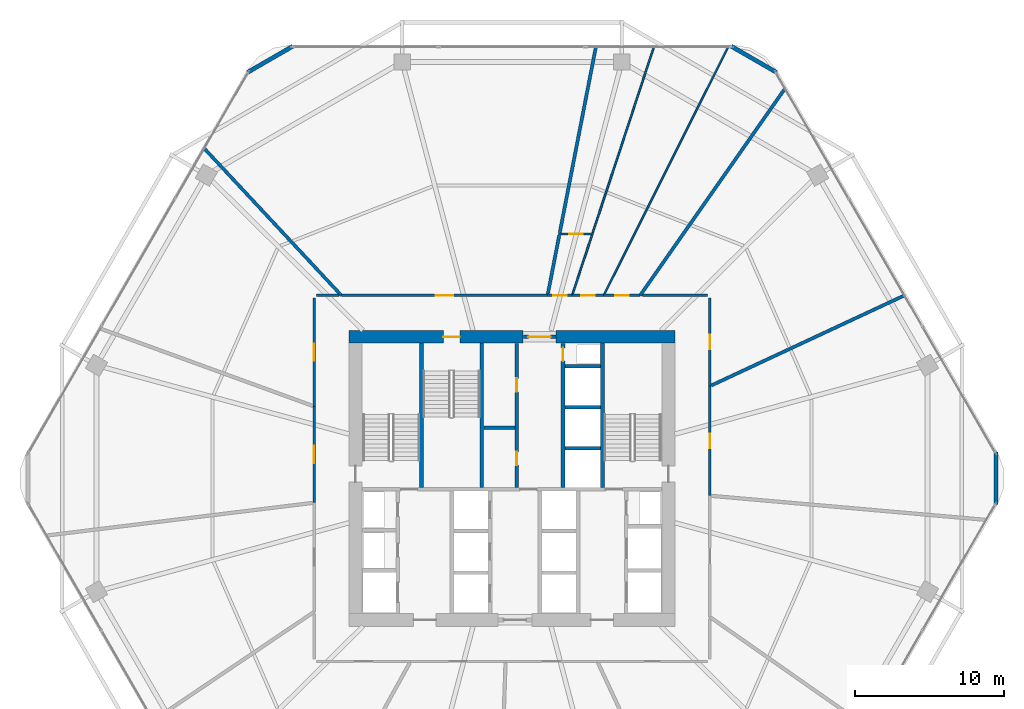
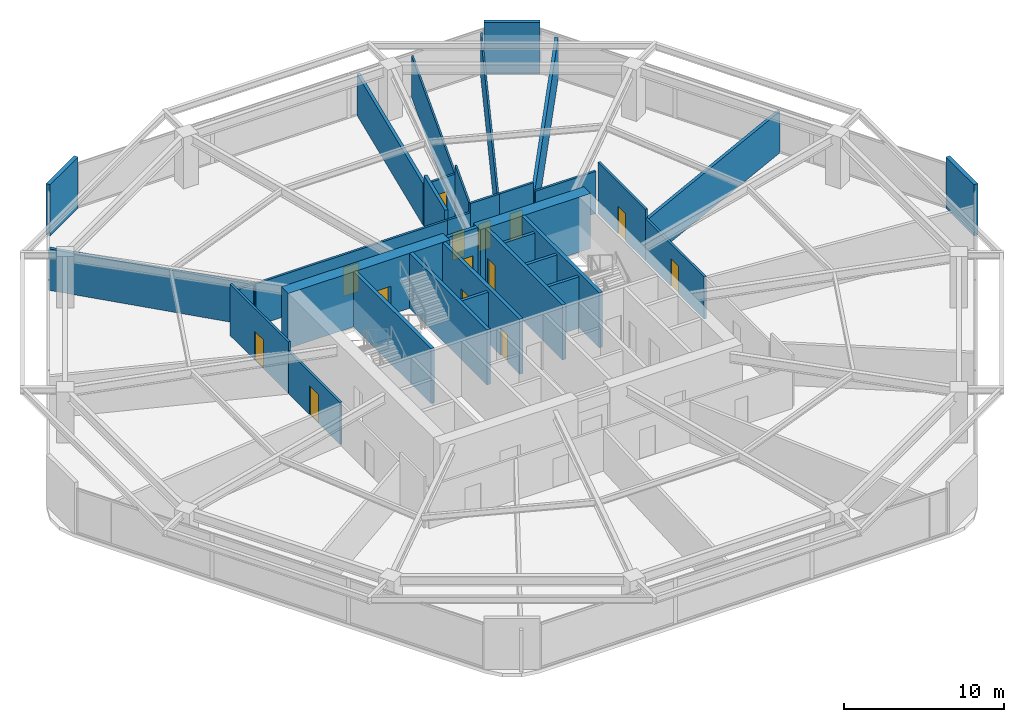
# One storey, part 26 of 28: 34 walls, 14 doors, 14 openings.
"""IFC4 building model written with IfcOpenShell, lengths in metres."""

import ifcopenshell
import ifcopenshell.guid

model = None  # the IFC model being written
_history = None  # IfcOwnerHistory: only IFC2X3 demands one
_inside = {}  # id of a spatial element -> (the spatial element, [elements in it])
_under = {}  # id of a project, library or spatial element -> (it, [spatial elements below it])
_declared = {}  # id of a project -> (the project, [libraries it declares])
_typed = {}  # id of a type object -> (the type object, [elements of that type])
_made_of = {}  # id of a material, layer set ... -> (it, [elements and type objects made of it])


def new_model(schema):
    """Start an empty IFC model of exactly this schema.

    Asked for "IFC4X3", IfcOpenShell would pick the latest addendum, in which some entities
    have other attributes; the version numbers below select the first issue.
    IFC2X3 requires an IfcOwnerHistory on every rooted entity: one is made here for all.
    """
    global model, _history
    if schema == "IFC4X3":
        model = ifcopenshell.file(schema_version=(4, 3, 0, 0))
    else:
        model = ifcopenshell.file(schema=schema)
    _inside.clear()
    _under.clear()
    _declared.clear()
    _typed.clear()
    _made_of.clear()
    _history = None
    if model.schema == "IFC2X3":
        org = make("IfcOrganization", Name="unknown")
        user = make(
            "IfcPersonAndOrganization",
            ThePerson=make("IfcPerson", FamilyName="unknown"),
            TheOrganization=org,
        )
        app = make(
            "IfcApplication",
            ApplicationDeveloper=org,
            Version="unknown",
            ApplicationFullName="unknown",
            ApplicationIdentifier="unknown",
        )
        _history = make(
            "IfcOwnerHistory",
            OwningUser=user,
            OwningApplication=app,
            ChangeAction="ADDED",
            CreationDate=0,
        )
    return model


def make(cls, **values):
    """One entity of the class cls with the attributes given. An attribute that is None is left unset."""
    return model.create_entity(
        cls, **{name: value for name, value in values.items() if value is not None}
    )


def rooted(cls, **values):
    """An entity with a GlobalId (a new one), such as an element, a storey or a relation."""
    return make(cls, GlobalId=ifcopenshell.guid.new(), OwnerHistory=_history, **values)


def si_unit(unit_type, name, prefix=None):
    """IfcSIUnit, for example si_unit("LENGTHUNIT", "METRE", prefix="MILLI")."""
    return make("IfcSIUnit", UnitType=unit_type, Prefix=prefix, Name=name)


def assignment(units):
    """IfcUnitAssignment: the units of a project."""
    return None if units is None else make("IfcUnitAssignment", Units=units)


def point(xyz):
    """IfcCartesianPoint."""
    return None if xyz is None else make("IfcCartesianPoint", Coordinates=xyz)


def direction(xyz):
    """IfcDirection."""
    return None if xyz is None else make("IfcDirection", DirectionRatios=xyz)


def frame(location, z_axis=None, x_axis=None):
    """IfcAxis2Placement3D, a coordinate frame: its origin and axes. An axis left out is left unset."""
    return make(
        "IfcAxis2Placement3D",
        Location=point(location),
        Axis=direction(z_axis),
        RefDirection=direction(x_axis),
    )


def frame_2d(location, x_axis=None):
    """IfcAxis2Placement2D, a coordinate frame in the plane: its origin and x axis."""
    return make(
        "IfcAxis2Placement2D", Location=point(location), RefDirection=direction(x_axis)
    )


def origin():
    """The frame at (0, 0, 0) with its axes left unset."""
    return frame((0.0, 0.0, 0.0))


def place(relative_to, where):
    """IfcLocalPlacement: puts the frame where relative to a parent placement (None: the world)."""
    return make(
        "IfcLocalPlacement", PlacementRelTo=relative_to, RelativePlacement=where
    )


def context(
    kind, dimensions, precision=None, world=None, true_north=None, identifier=None
):
    """IfcGeometricRepresentationContext, for example the 3D "Model" context."""
    return make(
        "IfcGeometricRepresentationContext",
        ContextIdentifier=identifier,
        ContextType=kind,
        CoordinateSpaceDimension=dimensions,
        Precision=precision,
        WorldCoordinateSystem=world,
        TrueNorth=true_north,
    )


def subcontext(parent, identifier, kind, view, scale=None):
    """IfcGeometricRepresentationSubContext, for example "Body" below "Model"."""
    return make(
        "IfcGeometricRepresentationSubContext",
        ContextIdentifier=identifier,
        ContextType=kind,
        ParentContext=parent,
        TargetScale=scale,
        TargetView=view,
    )


def project(units=None, contexts=None):
    """IfcProject with its units and contexts."""
    return rooted(
        "IfcProject",
        Name="project",
        RepresentationContexts=contexts,
        UnitsInContext=assignment(units),
    )


def spatial(cls, under=None, at=None, **own):
    """A site, building, storey or space (cls), placed at a placement, below another one or the project."""
    s = rooted(cls, ObjectPlacement=at, **own)
    if under is not None:
        _under.setdefault(under.id(), (under, []))[1].append(s)
    return s


def profile(cls, at=None, kind="AREA", **sizes):
    """A parametric profile (cls). Its sizes go by their IFC names, for example OverallWidth=200.0."""
    return make(cls, ProfileType=kind, Position=at, **sizes)


def rectangle(**sizes):
    """IfcRectangleProfileDef."""
    return profile("IfcRectangleProfileDef", **sizes)


def extrude(swept, where, along, depth):
    """IfcExtrudedAreaSolid: the profile swept, set in the frame where, extruded along a direction by depth."""
    return make(
        "IfcExtrudedAreaSolid",
        SweptArea=swept,
        Position=where,
        ExtrudedDirection=direction(along),
        Depth=depth,
    )


def shape(context_of_items, identifier, shape_type, items):
    """IfcShapeRepresentation: the items that make up one representation, for example the "Body"."""
    return make(
        "IfcShapeRepresentation",
        ContextOfItems=context_of_items,
        RepresentationIdentifier=identifier,
        RepresentationType=shape_type,
        Items=items,
    )


def material(Name=None, Category=None):
    """IfcMaterial."""
    return make("IfcMaterial", Name=Name, Category=Category)


def layer(
    of_material, thickness, ventilated=None, Name=None, Category=None, Priority=None
):
    """IfcMaterialLayer: one layer of a wall or slab, of a material (None: an air gap)."""
    return make(
        "IfcMaterialLayer",
        Material=of_material,
        LayerThickness=thickness,
        IsVentilated=ventilated,
        Name=Name,
        Category=Category,
        Priority=Priority,
    )


def layer_set(layers, Name=None):
    """IfcMaterialLayerSet."""
    return make("IfcMaterialLayerSet", MaterialLayers=layers, LayerSetName=Name)


def made_of(thing, what):
    """Note that an element or type object is made of a material, layer set ...; save() writes the relation."""
    if what is not None:
        _made_of.setdefault(what.id(), (what, []))[1].append(thing)
    return thing


def type_object(cls, material=None, **own):
    """A type object (cls), such as IfcWallType, which elements share."""
    return made_of(rooted(cls, **own), material)


def element(
    cls,
    number,
    at=None,
    inside=None,
    cuts=None,
    type_object=None,
    material=None,
    context=None,
    identifier="Body",
    shape_type=None,
    held_by="IfcProductDefinitionShape",
    body=None,
    shapes=None,
    **own,
):
    """One element of the class cls, such as IfcWall. Its Tag is "e" and its number.

    at: its placement. inside: the storey or other place that contains it. cuts: it is an
    opening in that element (IfcRelVoidsElement). A single representation is given by context,
    identifier, shape_type and body (its items); several are given by shapes. held_by: the class
    of the entity that holds the representations. save() writes the other relations.
    """
    e = rooted(cls, Tag="e%d" % number, ObjectPlacement=at, **own)
    if body is not None:
        shapes = [shape(context, identifier, shape_type, body)]
    if shapes is not None:
        e.Representation = make(held_by, Representations=shapes)
    if inside is not None:
        _inside.setdefault(inside.id(), (inside, []))[1].append(e)
    if cuts is not None:
        rooted(
            "IfcRelVoidsElement", RelatingBuildingElement=cuts, RelatedOpeningElement=e
        )
    if type_object is not None:
        _typed.setdefault(type_object.id(), (type_object, []))[1].append(e)
    return made_of(e, material)


def fill(opening, filler):
    """IfcRelFillsElement: the door or window that sits in an opening."""
    return rooted(
        "IfcRelFillsElement",
        RelatingOpeningElement=opening,
        RelatedBuildingElement=filler,
    )


def aggregate(whole, parts):
    """IfcRelAggregates: a whole, such as a stair, and the parts it consists of."""
    return rooted("IfcRelAggregates", RelatingObject=whole, RelatedObjects=parts)


def save(model, path):
    """Write the relations noted so far, then the file.

    IfcRelAggregates (storeys below a building ...), IfcRelContainedInSpatialStructure (elements
    in a storey), IfcRelDefinesByType, IfcRelAssociatesMaterial and IfcRelDeclares: one each for
    every whole, place, type object, material and project.
    """
    for whole, parts in _under.values():
        aggregate(whole, parts)
    for where, things in _inside.values():
        rooted(
            "IfcRelContainedInSpatialStructure",
            RelatedElements=things,
            RelatingStructure=where,
        )
    for kind, things in _typed.values():
        rooted("IfcRelDefinesByType", RelatedObjects=things, RelatingType=kind)
    for what, things in _made_of.values():
        rooted("IfcRelAssociatesMaterial", RelatedObjects=things, RelatingMaterial=what)
    for by, libraries in _declared.values():
        rooted("IfcRelDeclares", RelatingContext=by, RelatedDefinitions=libraries)
    model.write(path)


model = new_model("IFC4")

# Units and contexts
model_context = context("Model", 3, precision=1e-05, world=origin(), true_north=direction((0.0, 1.0)))
body_context = subcontext(model_context, "Body", "Model", "MODEL_VIEW")
ifc_project = project(units=[si_unit("LENGTHUNIT", "METRE"), si_unit("AREAUNIT", "SQUARE_METRE"), si_unit("VOLUMEUNIT", "CUBIC_METRE"), si_unit("PLANEANGLEUNIT", "RADIAN"), si_unit("MASSUNIT", "GRAM", prefix="KILO")], contexts=[model_context])

# Site, building, storey
site_placement = place(None, origin())
site = spatial("IfcSite", under=ifc_project, at=site_placement, CompositionType="ELEMENT")
building_placement = place(site_placement, origin())
building = spatial("IfcBuilding", under=site, at=building_placement, Name="Zuhravey Tower", CompositionType="ELEMENT")
storey_placement = place(building_placement, frame((0.0, 0.0, 79.199951171875)))
storey = spatial("IfcBuildingStorey", under=building, at=storey_placement, Name="L19", CompositionType="ELEMENT", Elevation=79.199951171875)

# Wall
ifc_material_1 = material(Name="Concrete C60/75", Category="concrete")
ifc_layer_1 = layer(ifc_material_1, 0.85009765625)
ifc_layer_set_1 = layer_set([ifc_layer_1], Name="Concrete C60/75")
wall_type_1 = type_object("IfcWallType", Name="Core Shear Wall 850", PredefinedType="SHEAR", material=ifc_layer_set_1)
wall_1_placement = place(storey_placement, frame((46.925048828125, 41.5, 0.0), z_axis=(0.0, 0.0, 1.0), x_axis=(-1.0, 0.0, 0.0)))
element("IfcWall", 1, at=wall_1_placement, inside=storey, type_object=wall_type_1, Name="L19 North-East Core Shear Wall CW85", PredefinedType="SHEAR", context=body_context, shape_type="SweptSolid", body=[
    extrude(rectangle(XDim=7.97509765625, YDim=0.85009765625, at=frame_2d((3.987548828125, 0.0))), origin(), (0.0, 0.0, 1.0), 4.199951171875),
])

# Wall, opening, door
wall_2_placement = place(storey_placement, frame((36.75, 41.5, 0.0), z_axis=(0.0, 0.0, 1.0), x_axis=(-1.0, 0.0, 0.0)))
wall_2 = element("IfcWall", 2, at=wall_2_placement, inside=storey, type_object=wall_type_1, Name="L19 North-West Core Shear Wall CW85", PredefinedType="SHEAR", context=body_context, shape_type="SweptSolid", body=[
    extrude(rectangle(XDim=11.675048828125, YDim=0.85009765625, at=frame_2d((5.83740234375, 0.0))), origin(), (0.0, 0.0, 1.0), 4.199951171875),
])
opening_1_placement = place(wall_2_placement, frame((4.25, 0.0, 0.0)))
opening_1 = element("IfcOpeningElement", 3, at=opening_1_placement, cuts=wall_2, Name="Opening STD1", PredefinedType="OPENING", context=body_context, shape_type="SweptSolid", body=[
    extrude(rectangle(XDim=1.10009765625, YDim=2.14990234375, at=frame_2d((0.550048828125, 1.074951171875))), frame((0.0, 0.43701171875, 0.0), z_axis=(0.0, -1.0, 0.0), x_axis=(1.0, 0.0, 0.0)), (0.0, 0.0, 1.0), 0.8740234375),
])
ifc_material_2 = material(Name="Galvanised fire-rated steel leaf", Category="steel")
door_type_1 = type_object("IfcDoorType", Name="Protected Stair Fire Door 1100x2150", OperationType="NOTDEFINED", PredefinedType="USERDEFINED", material=ifc_material_2)
door_1_placement = place(opening_1_placement, origin())
door_1 = element("IfcDoor", 4, at=door_1_placement, inside=storey, type_object=door_type_1, Name="L19 Stair ST3 Door", ObjectType="EXITDOOR", OperationType="SINGLE_SWING_LEFT", OverallHeight=2.14990234375, OverallWidth=1.10009765625, PredefinedType="USERDEFINED", context=body_context, shape_type="SweptSolid", body=[
    extrude(rectangle(XDim=1.10009765625, YDim=2.14990234375, at=frame_2d((0.550048828125, 1.074951171875))), frame((0.0, 0.02490234375, 0.0), z_axis=(0.0, -1.0, 0.0), x_axis=(1.0, 0.0, 0.0)), (0.0, 0.0, 1.0), 0.050048828125),
])
fill(opening_1, door_1)

ifc_material_3 = material(Name="Gypsum fire-rated stud partition")
ifc_layer_2 = layer(ifc_material_3, 0.159912109375)
ifc_layer_set_2 = layer_set([ifc_layer_2], Name="Gypsum fire-rated stud partition")
wall_type_2 = type_object("IfcWallType", Name="Corridor Fire Partition 160", PredefinedType="PARTITIONING", material=ifc_layer_set_2)
wall_3_placement = place(storey_placement, frame((44.60205078125, 44.284912109375, 0.0), z_axis=(0.0, 0.0, 1.0), x_axis=(-1.0, 0.0, 0.0)))
wall_3 = element("IfcWall", 5, at=wall_3_placement, inside=storey, type_object=wall_type_2, Name="L19 IW16 Partition 019", PredefinedType="PARTITIONING", context=body_context, shape_type="SweptSolid", body=[
    extrude(rectangle(XDim=2.4501953125, YDim=0.159912109375, at=frame_2d((1.22509765625, 0.0))), origin(), (0.0, 0.0, 1.0), 3.920166015625),
])
opening_2_placement = place(wall_3_placement, frame((0.77490234375, 0.0, 0.0)))
opening_2 = element("IfcOpeningElement", 6, at=opening_2_placement, cuts=wall_3, Name="Opening RSD1", PredefinedType="OPENING", context=body_context, shape_type="SweptSolid", body=[
    extrude(rectangle(XDim=0.89990234375, YDim=2.10009765625, at=frame_2d((0.449951171875, 1.050048828125))), frame((0.0, 0.092041015625, 0.0), z_axis=(0.0, -1.0, 0.0), x_axis=(1.0, 0.0, 0.0)), (0.0, 0.0, 1.0), 0.183837890625),
])
ifc_material_4 = material(Name="Galvanised fire-rated steel access leaf", Category="steel")
door_type_2 = type_object("IfcDoorType", Name="Riser & Shaft Access Fire Door 900x2100", OperationType="NOTDEFINED", PredefinedType="DOOR", material=ifc_material_4)
door_2_placement = place(opening_2_placement, frame((0.89990234375, 0.0, 0.0), z_axis=(0.0, 0.0, 1.0), x_axis=(-1.0, 0.0, 0.0)))
door_2 = element("IfcDoor", 7, at=door_2_placement, inside=storey, type_object=door_type_2, Name="L19 Door 019.1", OperationType="SINGLE_SWING_LEFT", OverallHeight=2.10009765625, OverallWidth=0.89990234375, PredefinedType="DOOR", context=body_context, shape_type="SweptSolid", body=[
    extrude(rectangle(XDim=0.89990234375, YDim=2.10009765625, at=frame_2d((0.449951171875, 1.050048828125))), frame((0.0, 0.02490234375, 0.0), z_axis=(0.0, -1.0, 0.0), x_axis=(1.0, 0.0, 0.0)), (0.0, 0.0, 1.0), 0.050048828125),
])
fill(opening_2, door_2)

wall_4_placement = place(storey_placement, frame((42.15185546875, 44.284912109375, 0.0), z_axis=(0.0, 0.0, 1.0), x_axis=(-1.0, 0.0, 0.0)))
wall_4 = element("IfcWall", 8, at=wall_4_placement, inside=storey, type_object=wall_type_2, Name="L19 IW16 Partition 020", PredefinedType="PARTITIONING", context=body_context, shape_type="SweptSolid", body=[
    extrude(rectangle(XDim=2.11279296875, YDim=0.159912109375, at=frame_2d((1.056396484375, 0.0))), origin(), (0.0, 0.0, 1.0), 3.920166015625),
])
opening_3_placement = place(wall_4_placement, frame((0.6064453125, 0.0, 0.0)))
opening_3 = element("IfcOpeningElement", 9, at=opening_3_placement, cuts=wall_4, Name="Opening RSD1", PredefinedType="OPENING", context=body_context, shape_type="SweptSolid", body=[
    extrude(rectangle(XDim=0.89990234375, YDim=2.10009765625, at=frame_2d((0.449951171875, 1.050048828125))), frame((0.0, 0.092041015625, 0.0), z_axis=(0.0, -1.0, 0.0), x_axis=(1.0, 0.0, 0.0)), (0.0, 0.0, 1.0), 0.183837890625),
])
door_3_placement = place(opening_3_placement, frame((0.89990234375, 0.0, 0.0), z_axis=(0.0, 0.0, 1.0), x_axis=(-1.0, 0.0, 0.0)))
door_3 = element("IfcDoor", 10, at=door_3_placement, inside=storey, type_object=door_type_2, Name="L19 Door 020.1", OperationType="SINGLE_SWING_RIGHT", OverallHeight=2.10009765625, OverallWidth=0.89990234375, PredefinedType="DOOR", context=body_context, shape_type="SweptSolid", body=[
    extrude(rectangle(XDim=0.89990234375, YDim=2.10009765625, at=frame_2d((0.449951171875, 1.050048828125))), frame((0.0, 0.02490234375, 0.0), z_axis=(0.0, -1.0, 0.0), x_axis=(1.0, 0.0, 0.0)), (0.0, 0.0, 1.0), 0.050048828125),
])
fill(opening_3, door_3)

wall_5_placement = place(storey_placement, frame((39.107421875, 48.405029296875, 0.0), z_axis=(0.0, 0.0, 1.0), x_axis=(1.0, 0.0, 0.0)))
wall_5 = element("IfcWall", 11, at=wall_5_placement, inside=storey, type_object=wall_type_2, Name="L19 IW16 Partition 021", PredefinedType="PARTITIONING", context=body_context, shape_type="SweptSolid", body=[
    extrude(rectangle(XDim=2.370361328125, YDim=0.159912109375, at=frame_2d((1.18505859375, 0.0))), origin(), (0.0, 0.0, 1.0), 3.219970703125),
])
opening_4_placement = place(wall_5_placement, frame((0.7353515625, 0.0, 0.0)))
opening_4 = element("IfcOpeningElement", 12, at=opening_4_placement, cuts=wall_5, Name="Opening RSD1", PredefinedType="OPENING", context=body_context, shape_type="SweptSolid", body=[
    extrude(rectangle(XDim=0.89990234375, YDim=2.10009765625, at=frame_2d((0.449951171875, 1.050048828125))), frame((0.0, 0.092041015625, 0.0), z_axis=(0.0, -1.0, 0.0), x_axis=(1.0, 0.0, 0.0)), (0.0, 0.0, 1.0), 0.183837890625),
])
door_4_placement = place(opening_4_placement, origin())
door_4 = element("IfcDoor", 13, at=door_4_placement, inside=storey, type_object=door_type_2, Name="L19 Door 021.1", OperationType="SINGLE_SWING_LEFT", OverallHeight=2.10009765625, OverallWidth=0.89990234375, PredefinedType="DOOR", context=body_context, shape_type="SweptSolid", body=[
    extrude(rectangle(XDim=0.89990234375, YDim=2.10009765625, at=frame_2d((0.449951171875, 1.050048828125))), frame((0.0, 0.02490234375, 0.0), z_axis=(0.0, -1.0, 0.0), x_axis=(1.0, 0.0, 0.0)), (0.0, 0.0, 1.0), 0.050048828125),
])
fill(opening_4, door_4)

wall_6_placement = place(storey_placement, frame((40.0390625, 44.284912109375, 0.0), z_axis=(0.0, 0.0, 1.0), x_axis=(-1.0, 0.0, 0.0)))
wall_6 = element("IfcWall", 14, at=wall_6_placement, inside=storey, type_object=wall_type_2, Name="L19 IW16 Partition 022", PredefinedType="PARTITIONING", context=body_context, shape_type="SweptSolid", body=[
    extrude(rectangle(XDim=1.651123046875, YDim=0.159912109375, at=frame_2d((0.82568359375, 0.0))), origin(), (0.0, 0.0, 1.0), 3.219970703125),
])
opening_5_placement = place(wall_6_placement, frame((0.37548828125, 0.0, 0.0)))
opening_5 = element("IfcOpeningElement", 15, at=opening_5_placement, cuts=wall_6, Name="Opening RSD1", PredefinedType="OPENING", context=body_context, shape_type="SweptSolid", body=[
    extrude(rectangle(XDim=0.89990234375, YDim=2.10009765625, at=frame_2d((0.449951171875, 1.050048828125))), frame((0.0, 0.092041015625, 0.0), z_axis=(0.0, -1.0, 0.0), x_axis=(1.0, 0.0, 0.0)), (0.0, 0.0, 1.0), 0.183837890625),
])
door_5_placement = place(opening_5_placement, frame((0.89990234375, 0.0, 0.0), z_axis=(0.0, 0.0, 1.0), x_axis=(-1.0, 0.0, 0.0)))
door_5 = element("IfcDoor", 16, at=door_5_placement, inside=storey, type_object=door_type_2, Name="L19 Door 022.1", OperationType="SINGLE_SWING_RIGHT", OverallHeight=2.10009765625, OverallWidth=0.89990234375, PredefinedType="DOOR", context=body_context, shape_type="SweptSolid", body=[
    extrude(rectangle(XDim=0.89990234375, YDim=2.10009765625, at=frame_2d((0.449951171875, 1.050048828125))), frame((0.0, 0.02490234375, 0.0), z_axis=(0.0, -1.0, 0.0), x_axis=(1.0, 0.0, 0.0)), (0.0, 0.0, 1.0), 0.050048828125),
])
fill(opening_5, door_5)

wall_7_placement = place(storey_placement, frame((38.387939453125, 44.284912109375, 0.0), z_axis=(0.0, 0.0, 1.0), x_axis=(-1.0, 0.0, 0.0)))
wall_7 = element("IfcWall", 17, at=wall_7_placement, inside=storey, type_object=wall_type_2, Name="L19 IW16 Partition 023", PredefinedType="PARTITIONING", context=body_context, shape_type="SweptSolid", body=[
    extrude(rectangle(XDim=13.84375, YDim=0.159912109375, at=frame_2d((6.921875, 0.0))), origin(), (0.0, 0.0, 1.0), 3.219970703125),
])
opening_6_placement = place(wall_7_placement, frame((6.346923828125, 0.0, 0.0)))
opening_6 = element("IfcOpeningElement", 18, at=opening_6_placement, cuts=wall_7, Name="Opening CLD1", PredefinedType="OPENING", context=body_context, shape_type="SweptSolid", body=[
    extrude(rectangle(XDim=1.14990234375, YDim=2.199951171875, at=frame_2d((0.574951171875, 1.10009765625))), frame((0.0, 0.092041015625, 0.0), z_axis=(0.0, -1.0, 0.0), x_axis=(1.0, 0.0, 0.0)), (0.0, 0.0, 1.0), 0.183837890625),
])
ifc_material_5 = material(Name="Acoustic timber leaf with vision lite", Category="wood")
door_type_3 = type_object("IfcDoorType", Name="Classroom Acoustic Door 1150x2200", OperationType="NOTDEFINED", PredefinedType="DOOR", material=ifc_material_5)
door_6_placement = place(opening_6_placement, frame((1.14990234375, 0.0, 0.0), z_axis=(0.0, 0.0, 1.0), x_axis=(-1.0, 0.0, 0.0)))
door_6 = element("IfcDoor", 19, at=door_6_placement, inside=storey, type_object=door_type_3, Name="L19 Door 023.1", OperationType="SINGLE_SWING_LEFT", OverallHeight=2.199951171875, OverallWidth=1.14990234375, PredefinedType="DOOR", context=body_context, shape_type="SweptSolid", body=[
    extrude(rectangle(XDim=1.14990234375, YDim=2.199951171875, at=frame_2d((0.574951171875, 1.10009765625))), frame((0.0, 0.02490234375, 0.0), z_axis=(0.0, -1.0, 0.0), x_axis=(1.0, 0.0, 0.0)), (0.0, 0.0, 1.0), 0.050048828125),
])
fill(opening_6, door_6)

wall_8_placement = place(storey_placement, frame((22.715087890625, 44.125, 0.0), z_axis=(0.0, 0.0, 1.0), x_axis=(0.0, -1.0, 0.0)))
wall_8 = element("IfcWall", 20, at=wall_8_placement, inside=storey, type_object=wall_type_2, Name="L19 IW16 Partition 024", PredefinedType="PARTITIONING", context=body_context, shape_type="SweptSolid", body=[
    extrude(rectangle(XDim=7.289794921875, YDim=0.159912109375, at=frame_2d((3.64501953125, 0.0))), origin(), (0.0, 0.0, 1.0), 3.920166015625),
])
opening_7_placement = place(wall_8_placement, frame((3.06982421875, 0.0, 0.0)))
opening_7 = element("IfcOpeningElement", 21, at=opening_7_placement, cuts=wall_8, Name="Opening CLD1", PredefinedType="OPENING", context=body_context, shape_type="SweptSolid", body=[
    extrude(rectangle(XDim=1.14990234375, YDim=2.199951171875, at=frame_2d((0.574951171875, 1.10009765625))), frame((0.0, 0.092041015625, 0.0), z_axis=(0.0, -1.0, 0.0), x_axis=(1.0, 0.0, 0.0)), (0.0, 0.0, 1.0), 0.183837890625),
])
door_7_placement = place(opening_7_placement, frame((1.14990234375, 0.0, 0.0), z_axis=(0.0, 0.0, 1.0), x_axis=(-1.0, 0.0, 0.0)))
door_7 = element("IfcDoor", 22, at=door_7_placement, inside=storey, type_object=door_type_3, Name="L19 Door 024.1", OperationType="SINGLE_SWING_RIGHT", OverallHeight=2.199951171875, OverallWidth=1.14990234375, PredefinedType="DOOR", context=body_context, shape_type="SweptSolid", body=[
    extrude(rectangle(XDim=1.14990234375, YDim=2.199951171875, at=frame_2d((0.574951171875, 1.10009765625))), frame((0.0, 0.02490234375, 0.0), z_axis=(0.0, -1.0, 0.0), x_axis=(1.0, 0.0, 0.0)), (0.0, 0.0, 1.0), 0.050048828125),
])
fill(opening_7, door_7)

wall_9_placement = place(storey_placement, frame((22.715087890625, 36.835205078125, 0.0), z_axis=(0.0, 0.0, 1.0), x_axis=(0.0, -1.0, 0.0)))
wall_9 = element("IfcWall", 23, at=wall_9_placement, inside=storey, type_object=wall_type_2, Name="L19 IW16 Partition 025", PredefinedType="PARTITIONING", context=body_context, shape_type="SweptSolid", body=[
    extrude(rectangle(XDim=6.46630859375, YDim=0.159912109375, at=frame_2d((3.233154296875, 0.0))), origin(), (0.0, 0.0, 1.0), 3.219970703125),
])
opening_8_placement = place(wall_9_placement, frame((2.658203125, 0.0, 0.0)))
opening_8 = element("IfcOpeningElement", 24, at=opening_8_placement, cuts=wall_9, Name="Opening CLD1", PredefinedType="OPENING", context=body_context, shape_type="SweptSolid", body=[
    extrude(rectangle(XDim=1.14990234375, YDim=2.199951171875, at=frame_2d((0.574951171875, 1.10009765625))), frame((0.0, 0.092041015625, 0.0), z_axis=(0.0, -1.0, 0.0), x_axis=(1.0, 0.0, 0.0)), (0.0, 0.0, 1.0), 0.183837890625),
])
door_8_placement = place(opening_8_placement, frame((1.14990234375, 0.0, 0.0), z_axis=(0.0, 0.0, 1.0), x_axis=(-1.0, 0.0, 0.0)))
door_8 = element("IfcDoor", 25, at=door_8_placement, inside=storey, type_object=door_type_3, Name="L19 Door 025.1", OperationType="SINGLE_SWING_LEFT", OverallHeight=2.199951171875, OverallWidth=1.14990234375, PredefinedType="DOOR", context=body_context, shape_type="SweptSolid", body=[
    extrude(rectangle(XDim=1.14990234375, YDim=2.199951171875, at=frame_2d((0.574951171875, 1.10009765625))), frame((0.0, 0.02490234375, 0.0), z_axis=(0.0, -1.0, 0.0), x_axis=(1.0, 0.0, 0.0)), (0.0, 0.0, 1.0), 0.050048828125),
])
fill(opening_8, door_8)

wall_10_placement = place(storey_placement, frame((49.284912109375, 30.837646484375, 0.0), z_axis=(0.0, 0.0, 1.0), x_axis=(0.0, 1.0, 0.0)))
wall_10 = element("IfcWall", 26, at=wall_10_placement, inside=storey, type_object=wall_type_2, Name="L19 IW16 Partition 032", PredefinedType="PARTITIONING", context=body_context, shape_type="SweptSolid", body=[
    extrude(rectangle(XDim=7.357177734375, YDim=0.159912109375, at=frame_2d((3.6787109375, 0.0))), origin(), (0.0, 0.0, 1.0), 3.219970703125),
])
opening_9_placement = place(wall_10_placement, frame((3.20361328125, 0.0, 0.0)))
opening_9 = element("IfcOpeningElement", 27, at=opening_9_placement, cuts=wall_10, Name="Opening IND1", PredefinedType="OPENING", context=body_context, shape_type="SweptSolid", body=[
    extrude(rectangle(XDim=0.949951171875, YDim=2.10009765625, at=frame_2d((0.47509765625, 1.050048828125))), frame((0.0, 0.092041015625, 0.0), z_axis=(0.0, -1.0, 0.0), x_axis=(1.0, 0.0, 0.0)), (0.0, 0.0, 1.0), 0.183837890625),
])
ifc_material_6 = material(Name="Painted engineered timber leaf", Category="wood")
door_type_4 = type_object("IfcDoorType", Name="Internal Room & Bedroom Door 950x2100", OperationType="NOTDEFINED", PredefinedType="DOOR", material=ifc_material_6)
door_9_placement = place(opening_9_placement, frame((0.949951171875, 0.0, 0.0), z_axis=(0.0, 0.0, 1.0), x_axis=(-1.0, 0.0, 0.0)))
door_9 = element("IfcDoor", 28, at=door_9_placement, inside=storey, type_object=door_type_4, Name="L19 Door 032.1", OperationType="SINGLE_SWING_RIGHT", OverallHeight=2.10009765625, OverallWidth=0.949951171875, PredefinedType="DOOR", context=body_context, shape_type="SweptSolid", body=[
    extrude(rectangle(XDim=0.949951171875, YDim=2.10009765625, at=frame_2d((0.47509765625, 1.050048828125))), frame((0.0, 0.02490234375, 0.0), z_axis=(0.0, -1.0, 0.0), x_axis=(1.0, 0.0, 0.0)), (0.0, 0.0, 1.0), 0.050048828125),
])
fill(opening_9, door_9)

wall_11_placement = place(storey_placement, frame((49.284912109375, 38.19482421875, 0.0), z_axis=(0.0, 0.0, 1.0), x_axis=(0.0, 1.0, 0.0)))
wall_11 = element("IfcWall", 29, at=wall_11_placement, inside=storey, type_object=wall_type_2, Name="L19 IW16 Partition 033", PredefinedType="PARTITIONING", context=body_context, shape_type="SweptSolid", body=[
    extrude(rectangle(XDim=5.93017578125, YDim=0.159912109375, at=frame_2d((2.965087890625, 0.0))), origin(), (0.0, 0.0, 1.0), 3.920166015625),
])
opening_10_placement = place(wall_11_placement, frame((2.489990234375, 0.0, 0.0)))
opening_10 = element("IfcOpeningElement", 30, at=opening_10_placement, cuts=wall_11, Name="Opening IND1", PredefinedType="OPENING", context=body_context, shape_type="SweptSolid", body=[
    extrude(rectangle(XDim=0.949951171875, YDim=2.10009765625, at=frame_2d((0.47509765625, 1.050048828125))), frame((0.0, 0.092041015625, 0.0), z_axis=(0.0, -1.0, 0.0), x_axis=(1.0, 0.0, 0.0)), (0.0, 0.0, 1.0), 0.183837890625),
])
door_10_placement = place(opening_10_placement, frame((0.949951171875, 0.0, 0.0), z_axis=(0.0, 0.0, 1.0), x_axis=(-1.0, 0.0, 0.0)))
door_10 = element("IfcDoor", 31, at=door_10_placement, inside=storey, type_object=door_type_4, Name="L19 Door 033.1", OperationType="SINGLE_SWING_LEFT", OverallHeight=2.10009765625, OverallWidth=0.949951171875, PredefinedType="DOOR", context=body_context, shape_type="SweptSolid", body=[
    extrude(rectangle(XDim=0.949951171875, YDim=2.10009765625, at=frame_2d((0.47509765625, 1.050048828125))), frame((0.0, 0.02490234375, 0.0), z_axis=(0.0, -1.0, 0.0), x_axis=(1.0, 0.0, 0.0)), (0.0, 0.0, 1.0), 0.050048828125),
])
fill(opening_10, door_10)

# Walls
wall_12_placement = place(storey_placement, frame((24.3828125, 44.284912109375, 0.0), z_axis=(0.0, 0.0, 1.0), x_axis=(-1.0, 0.0, 0.0)))
element("IfcWall", 32, at=wall_12_placement, inside=storey, type_object=wall_type_2, Name="L19 IW16 Partition 050", PredefinedType="PARTITIONING", context=body_context, shape_type="SweptSolid", body=[
    extrude(rectangle(XDim=1.5078125, YDim=0.159912109375, at=frame_2d((0.75390625, 0.0))), origin(), (0.0, 0.0, 1.0), 3.219970703125),
])
wall_13_placement = place(storey_placement, frame((49.125, 44.284912109375, 0.0), z_axis=(0.0, 0.0, 1.0), x_axis=(-1.0, 0.0, 0.0)))
element("IfcWall", 33, at=wall_13_placement, inside=storey, type_object=wall_type_2, Name="L19 IW16 Partition 061", PredefinedType="PARTITIONING", context=body_context, shape_type="SweptSolid", body=[
    extrude(rectangle(XDim=4.37890625, YDim=0.159912109375, at=frame_2d((2.189453125, 0.0))), origin(), (0.0, 0.0, 1.0), 3.219970703125),
])
ifc_material_7 = material(Name="Precast concrete C40/50", Category="concrete")
ifc_layer_3 = layer(ifc_material_7, 0.280029296875)
ifc_layer_set_3 = layer_set([ifc_layer_3], Name="Precast concrete C40/50")
wall_type_3 = type_object("IfcWallType", Name="Crown Architectural Wall 280", PredefinedType="SOLIDWALL", material=ifc_layer_set_3)
for number, where, z_axis, x_axis, name in (
    (34, (18.23876953125, 59.24853515625, 0.0), (0.0, 0.0, 1.0), (0.866007452331, 0.500031091541, 0.0), "L19 Rounded Corner Closure Wall EW28-08"),
    (35, (50.71728515625, 61.006103515625, 0.0), (0.0, 0.0, 1.0), (0.866007452331, -0.500031091541, 0.0), "L19 Rounded Corner Closure Wall EW28-10"),
):
    element("IfcWall", number, at=place(storey_placement, frame(where, z_axis=z_axis, x_axis=x_axis)), inside=storey, type_object=wall_type_3, Name=name, PredefinedType="SOLIDWALL", context=body_context, shape_type="SweptSolid", body=[
        extrude(rectangle(XDim=3.514892578125, YDim=0.280029296875, at=frame_2d((1.75732421875, 0.0))), origin(), (0.0, 0.0, 1.0), 3.920166015625),
    ])
wall_14_placement = place(storey_placement, frame((68.478515625, 33.757568359375, 0.0), z_axis=(0.0, 0.0, 1.0), x_axis=(0.0, -1.0, 0.0)))
element("IfcWall", 36, at=wall_14_placement, inside=storey, type_object=wall_type_3, Name="L19 Rounded Corner Closure Wall EW28-12", PredefinedType="SOLIDWALL", context=body_context, shape_type="SweptSolid", body=[
    extrude(rectangle(XDim=3.51513671875, YDim=0.280029296875, at=frame_2d((1.757568359375, 0.0))), origin(), (0.0, 0.0, 1.0), 3.920166015625),
])

# Wall, opening, door
ifc_material_8 = material(Name="Concrete C50/60", Category="concrete")
ifc_layer_4 = layer(ifc_material_8, 0.25)
ifc_layer_set_4 = layer_set([ifc_layer_4], Name="Concrete C50/60")
wall_type_4 = type_object("IfcWallType", Name="Firefighting Shaft & Stair Wall 250", PredefinedType="SOLIDWALL", material=ifc_layer_set_4)
wall_15_placement = place(storey_placement, frame((36.760009765625, 41.5, 0.0), z_axis=(0.0, 0.0, 1.0), x_axis=(1.0, 0.0, 0.0)))
wall_15 = element("IfcWall", 37, at=wall_15_placement, inside=storey, type_object=wall_type_4, Name="L19 FW25 Shaft Wall 002", PredefinedType="SOLIDWALL", context=body_context, shape_type="SweptSolid", body=[
    extrude(rectangle(XDim=2.179931640625, YDim=0.25, at=frame_2d((1.08984375, 0.0))), origin(), (0.0, 0.0, 1.0), 4.199951171875),
])
opening_11_placement = place(wall_15_placement, frame((0.340087890625, 0.0, 0.0)))
opening_11 = element("IfcOpeningElement", 38, at=opening_11_placement, cuts=wall_15, Name="Opening FFD1", PredefinedType="OPENING", context=body_context, shape_type="SweptSolid", body=[
    extrude(rectangle(XDim=1.5, YDim=2.14990234375, at=frame_2d((0.75, 1.074951171875))), frame((0.0, 0.136962890625, 0.0), z_axis=(0.0, -1.0, 0.0), x_axis=(1.0, 0.0, 0.0)), (0.0, 0.0, 1.0), 0.27392578125),
])
door_type_5 = type_object("IfcDoorType", Name="Firefighting Lobby Double Door 1500x2150", OperationType="DOUBLE_DOOR_SINGLE_SWING", PredefinedType="DOOR", material=ifc_material_2)
door_11_placement = place(opening_11_placement, origin())
door_11 = element("IfcDoor", 39, at=door_11_placement, inside=storey, type_object=door_type_5, Name="L19 North Lift Lobby Exit Door", OperationType="DOUBLE_DOOR_SINGLE_SWING", OverallHeight=2.14990234375, OverallWidth=1.5, PredefinedType="DOOR", context=body_context, shape_type="SweptSolid", body=[
    extrude(rectangle(XDim=1.5, YDim=2.14990234375, at=frame_2d((0.75, 1.074951171875))), frame((0.0, 0.02490234375, 0.0), z_axis=(0.0, -1.0, 0.0), x_axis=(1.0, 0.0, 0.0)), (0.0, 0.0, 1.0), 0.050048828125),
])
fill(opening_11, door_11)

# Walls
for number, where, z_axis, x_axis, name in (
    (40, (29.925048828125, 31.39990234375, 0.0), (0.0, 0.0, 1.0), (0.0, 1.0, 0.0), "L19 FW25 Shaft Wall 004"),
    (41, (33.97509765625, 31.39990234375, 0.0), (0.0, 0.0, 1.0), (0.0, 1.0, 0.0), "L19 FW25 Shaft Wall 005"),
    (42, (42.074951171875, 31.39990234375, 0.0), (0.0, 0.0, 1.0), (0.0, 1.0, 0.0), "L19 FW25 Shaft Wall 006"),
):
    element("IfcWall", number, at=place(storey_placement, frame(where, z_axis=z_axis, x_axis=x_axis)), inside=storey, type_object=wall_type_4, Name=name, PredefinedType="SOLIDWALL", context=body_context, shape_type="SweptSolid", body=[
        extrude(rectangle(XDim=9.7001953125, YDim=0.25, at=frame_2d((4.85009765625, 0.0))), origin(), (0.0, 0.0, 1.0), 4.199951171875),
    ])

# Wall, openings, doors
wall_16_placement = place(storey_placement, frame((36.324951171875, 31.39990234375, 0.0), z_axis=(0.0, 0.0, 1.0), x_axis=(0.0, 1.0, 0.0)))
wall_16 = element("IfcWall", 43, at=wall_16_placement, inside=storey, type_object=wall_type_4, Name="L19 FW25 Shaft Wall 007", PredefinedType="SOLIDWALL", context=body_context, shape_type="SweptSolid", body=[
    extrude(rectangle(XDim=9.650146484375, YDim=0.25, at=frame_2d((4.8251953125, 0.0))), origin(), (0.0, 0.0, 1.0), 4.199951171875),
])
opening_12_placement = place(wall_16_placement, frame((1.489990234375, 0.0, 0.0)))
opening_12 = element("IfcOpeningElement", 44, at=opening_12_placement, cuts=wall_16, Name="Opening RSD1", PredefinedType="OPENING", context=body_context, shape_type="SweptSolid", body=[
    extrude(rectangle(XDim=0.89990234375, YDim=2.10009765625, at=frame_2d((0.449951171875, 1.050048828125))), frame((0.0, 0.136962890625, 0.0), z_axis=(0.0, -1.0, 0.0), x_axis=(1.0, 0.0, 0.0)), (0.0, 0.0, 1.0), 0.27392578125),
])
opening_13_placement = place(wall_16_placement, frame((6.409912109375, 0.0, 0.0)))
opening_13 = element("IfcOpeningElement", 45, at=opening_13_placement, cuts=wall_16, Name="Opening RSD1", PredefinedType="OPENING", context=body_context, shape_type="SweptSolid", body=[
    extrude(rectangle(XDim=0.89990234375, YDim=2.10009765625, at=frame_2d((0.449951171875, 1.050048828125))), frame((0.0, 0.136962890625, 0.0), z_axis=(0.0, -1.0, 0.0), x_axis=(1.0, 0.0, 0.0)), (0.0, 0.0, 1.0), 0.27392578125),
])
door_12_placement = place(opening_12_placement, origin())
door_12 = element("IfcDoor", 46, at=door_12_placement, inside=storey, type_object=door_type_2, Name="L19 Core Cleaner Store Door", OperationType="SINGLE_SWING_LEFT", OverallHeight=2.10009765625, OverallWidth=0.89990234375, PredefinedType="DOOR", context=body_context, shape_type="SweptSolid", body=[
    extrude(rectangle(XDim=0.89990234375, YDim=2.10009765625, at=frame_2d((0.449951171875, 1.050048828125))), frame((0.0, 0.02490234375, 0.0), z_axis=(0.0, -1.0, 0.0), x_axis=(1.0, 0.0, 0.0)), (0.0, 0.0, 1.0), 0.050048828125),
])
fill(opening_12, door_12)
door_13_placement = place(opening_13_placement, origin())
door_13 = element("IfcDoor", 47, at=door_13_placement, inside=storey, type_object=door_type_2, Name="L19 Core Pantry and Tea Room Door", OperationType="SINGLE_SWING_RIGHT", OverallHeight=2.10009765625, OverallWidth=0.89990234375, PredefinedType="DOOR", context=body_context, shape_type="SweptSolid", body=[
    extrude(rectangle(XDim=0.89990234375, YDim=2.10009765625, at=frame_2d((0.449951171875, 1.050048828125))), frame((0.0, 0.02490234375, 0.0), z_axis=(0.0, -1.0, 0.0), x_axis=(1.0, 0.0, 0.0)), (0.0, 0.0, 1.0), 0.050048828125),
])
fill(opening_13, door_13)

# Wall, opening, door
wall_17_placement = place(storey_placement, frame((39.425048828125, 31.39990234375, 0.0), z_axis=(0.0, 0.0, 1.0), x_axis=(0.0, 1.0, 0.0)))
wall_17 = element("IfcWall", 48, at=wall_17_placement, inside=storey, type_object=wall_type_4, Name="L19 FW25 Shaft Wall 008", PredefinedType="SOLIDWALL", context=body_context, shape_type="SweptSolid", body=[
    extrude(rectangle(XDim=9.650146484375, YDim=0.25, at=frame_2d((4.8251953125, 0.0))), origin(), (0.0, 0.0, 1.0), 4.199951171875),
])
opening_14_placement = place(wall_17_placement, frame((8.469970703125, 0.0, 0.0)))
opening_14 = element("IfcOpeningElement", 49, at=opening_14_placement, cuts=wall_17, Name="Opening RSD1", PredefinedType="OPENING", context=body_context, shape_type="SweptSolid", body=[
    extrude(rectangle(XDim=0.89990234375, YDim=2.10009765625, at=frame_2d((0.449951171875, 1.050048828125))), frame((0.0, 0.136962890625, 0.0), z_axis=(0.0, -1.0, 0.0), x_axis=(1.0, 0.0, 0.0)), (0.0, 0.0, 1.0), 0.27392578125),
])
door_14_placement = place(opening_14_placement, origin())
door_14 = element("IfcDoor", 50, at=door_14_placement, inside=storey, type_object=door_type_2, Name="L19 North Riser Door", OperationType="SINGLE_SWING_LEFT", OverallHeight=2.10009765625, OverallWidth=0.89990234375, PredefinedType="DOOR", context=body_context, shape_type="SweptSolid", body=[
    extrude(rectangle(XDim=0.89990234375, YDim=2.10009765625, at=frame_2d((0.449951171875, 1.050048828125))), frame((0.0, 0.02490234375, 0.0), z_axis=(0.0, -1.0, 0.0), x_axis=(1.0, 0.0, 0.0)), (0.0, 0.0, 1.0), 0.050048828125),
])
fill(opening_14, door_14)

# Walls
ifc_material_9 = material(Name="Gypsum acoustic stud assembly")
ifc_layer_5 = layer(ifc_material_9, 0.219970703125)
ifc_layer_set_5 = layer_set([ifc_layer_5], Name="Gypsum acoustic stud assembly")
wall_type_5 = type_object("IfcWallType", Name="School Acoustic Compartment Wall 220", PredefinedType="PARTITIONING", material=ifc_layer_set_5)
wall_18_placement = place(storey_placement, frame((34.10791015625, 35.39990234375, 0.0), z_axis=(0.0, 0.0, 1.0), x_axis=(1.0, 0.0, 0.0)))
element("IfcWall", 51, at=wall_18_placement, inside=storey, type_object=wall_type_5, Name="L19 IW22 Partition 034", PredefinedType="PARTITIONING", context=body_context, shape_type="SweptSolid", body=[
    extrude(rectangle(XDim=2.083984375, YDim=0.219970703125, at=frame_2d((1.0419921875, 0.0))), origin(), (0.0, 0.0, 1.0), 3.920166015625),
])
for number, where, z_axis, x_axis, name in (
    (52, (39.55810546875, 34.02490234375, 0.0), (0.0, 0.0, 1.0), (1.0, 0.0, 0.0), "L19 IW22 Partition 035"),
    (53, (39.55810546875, 36.77490234375, 0.0), (0.0, 0.0, 1.0), (1.0, 0.0, 0.0), "L19 IW22 Partition 036"),
    (54, (39.55810546875, 39.52490234375, 0.0), (0.0, 0.0, 1.0), (1.0, 0.0, 0.0), "L19 IW22 Partition 037"),
):
    element("IfcWall", number, at=place(storey_placement, frame(where, z_axis=z_axis, x_axis=x_axis)), inside=storey, type_object=wall_type_5, Name=name, PredefinedType="PARTITIONING", context=body_context, shape_type="SweptSolid", body=[
        extrude(rectangle(XDim=2.3837890625, YDim=0.219970703125, at=frame_2d((1.19189453125, 0.0))), origin(), (0.0, 0.0, 1.0), 3.920166015625),
    ])
wall_19_placement = place(storey_placement, frame((44.60205078125, 44.284912109375, 0.0), z_axis=(0.0, 0.0, 1.0), x_axis=(0.573572509316, 0.819154794014, 0.0)))
element("IfcWall", 55, at=wall_19_placement, inside=storey, type_object=wall_type_5, Name="L19 IW22 Partition 042", PredefinedType="PARTITIONING", context=body_context, shape_type="SweptSolid", body=[
    extrude(rectangle(XDim=16.954833984375, YDim=0.219970703125, at=frame_2d((8.4775390625, 0.0))), origin(), (0.0, 0.0, 1.0), 3.170166015625),
])
wall_20_placement = place(storey_placement, frame((38.405029296875, 44.373046875, 0.0), z_axis=(0.0, 0.0, 1.0), x_axis=(0.190807852756, 0.98162740555, 0.0)))
element("IfcWall", 56, at=wall_20_placement, inside=storey, type_object=wall_type_5, Name="L19 IW22 Partition 046", PredefinedType="PARTITIONING", context=body_context, shape_type="SweptSolid", body=[
    extrude(rectangle(XDim=4.017578125, YDim=0.219970703125, at=frame_2d((2.0087890625, 0.0))), origin(), (0.0, 0.0, 1.0), 3.920166015625),
])
wall_21_placement = place(storey_placement, frame((39.205810546875, 48.492919921875, 0.0), z_axis=(0.0, 0.0, 1.0), x_axis=(0.190811511044, 0.981626694448, 0.0)))
element("IfcWall", 57, at=wall_21_placement, inside=storey, type_object=wall_type_5, Name="L19 IW22 Partition 047", PredefinedType="PARTITIONING", context=body_context, shape_type="SweptSolid", body=[
    extrude(rectangle(XDim=12.698974609375, YDim=0.219970703125, at=frame_2d((6.349609375, 0.0))), origin(), (0.0, 0.0, 1.0), 3.170166015625),
])
wall_22_placement = place(storey_placement, frame((24.544189453125, 44.284912109375, 0.0), z_axis=(0.0, 0.0, 1.0), x_axis=(-0.68200725148, 0.731345410137, 0.0)))
element("IfcWall", 58, at=wall_22_placement, inside=storey, type_object=wall_type_5, Name="L19 IW22 Partition 048", PredefinedType="PARTITIONING", context=body_context, shape_type="SweptSolid", body=[
    extrude(rectangle(XDim=13.484130859375, YDim=0.219970703125, at=frame_2d((6.7421875, 0.0))), origin(), (0.0, 0.0, 1.0), 3.170166015625),
])
wall_23_placement = place(storey_placement, frame((49.373046875, 38.236083984375, 0.0), z_axis=(0.0, 0.0, 1.0), x_axis=(0.906309468756, 0.422614655263, 0.0)))
element("IfcWall", 59, at=wall_23_placement, inside=storey, type_object=wall_type_5, Name="L19 IW22 Partition 060", PredefinedType="PARTITIONING", context=body_context, shape_type="SweptSolid", body=[
    extrude(rectangle(XDim=14.3134765625, YDim=0.219970703125, at=frame_2d((7.15673828125, 0.0))), origin(), (0.0, 0.0, 1.0), 3.170166015625),
])
ifc_material_10 = material(Name="Gypsum metal-stud partition")
ifc_layer_6 = layer(ifc_material_10, 0.1201171875)
ifc_layer_set_6 = layer_set([ifc_layer_6], Name="Gypsum metal-stud partition")
wall_type_6 = type_object("IfcWallType", Name="Unit Internal Partition 120", PredefinedType="PARTITIONING", material=ifc_layer_set_6)
wall_24_placement = place(storey_placement, frame((42.196044921875, 44.373046875, 0.0), z_axis=(0.0, 0.0, 1.0), x_axis=(0.447750531228, 0.89415852162, 0.0)))
element("IfcWall", 60, at=wall_24_placement, inside=storey, type_object=wall_type_6, Name="L19 IW12 Partition 043", PredefinedType="PARTITIONING", context=body_context, shape_type="SweptSolid", body=[
    extrude(rectangle(XDim=18.548583984375, YDim=0.1201171875, at=frame_2d((9.2744140625, 0.0))), origin(), (0.0, 0.0, 1.0), 3.170166015625),
])
wall_25_placement = place(storey_placement, frame((40.068115234375, 44.373046875, 0.0), z_axis=(0.0, 0.0, 1.0), x_axis=(0.312326163944, 0.949974929835, 0.0)))
element("IfcWall", 61, at=wall_25_placement, inside=storey, type_object=wall_type_6, Name="L19 IW12 Partition 044", PredefinedType="PARTITIONING", context=body_context, shape_type="SweptSolid", body=[
    extrude(rectangle(XDim=4.151611328125, YDim=0.1201171875, at=frame_2d((2.07568359375, 0.0))), origin(), (0.0, 0.0, 1.0), 3.920166015625),
])
wall_26_placement = place(storey_placement, frame((41.422607421875, 48.492919921875, 0.0), z_axis=(0.0, 0.0, 1.0), x_axis=(0.312329125199, 0.949973956249, 0.0)))
element("IfcWall", 62, at=wall_26_placement, inside=storey, type_object=wall_type_6, Name="L19 IW12 Partition 045", PredefinedType="PARTITIONING", context=body_context, shape_type="SweptSolid", body=[
    extrude(rectangle(XDim=13.1220703125, YDim=0.1201171875, at=frame_2d((6.56103515625, 0.0))), origin(), (0.0, 0.0, 1.0), 3.170166015625),
])

save(model, "model.ifc")
